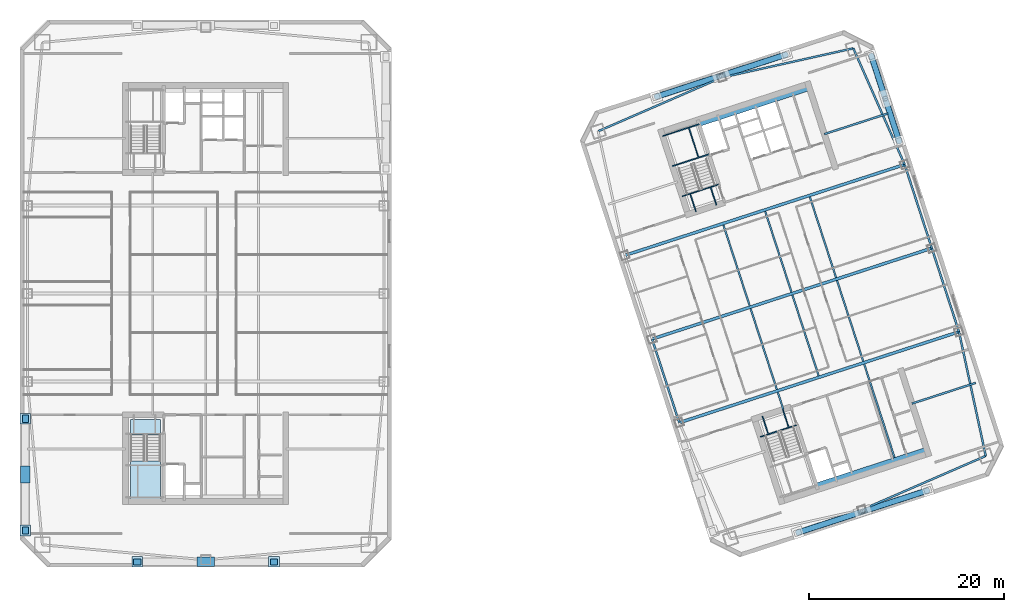
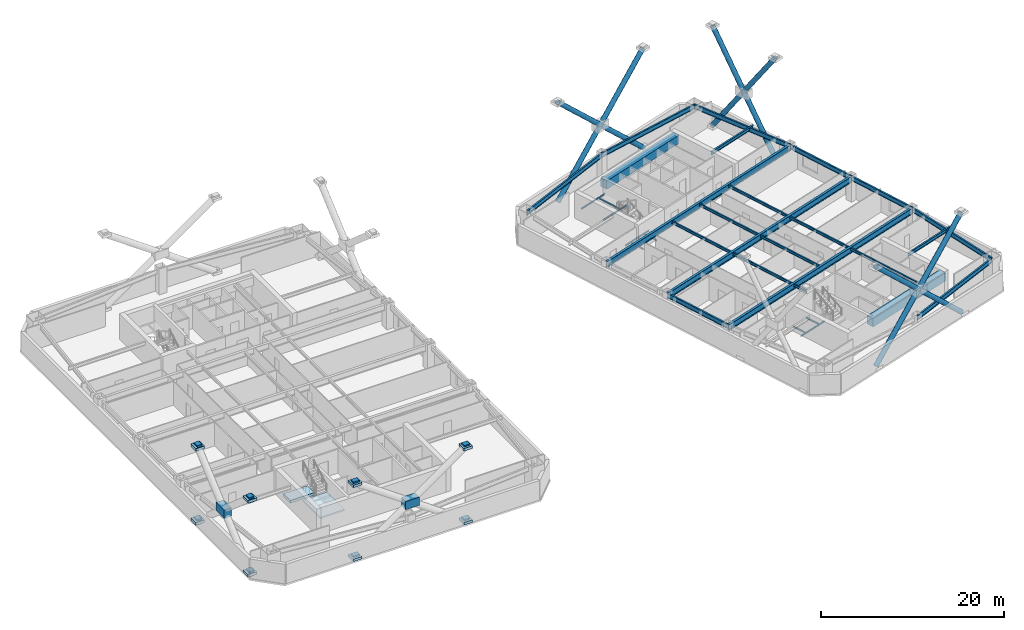
# One storey, part 4 of 14: 32 beams, 18 plates, 12 members, 2 slabs, 1 element without a shape of its own.
"""IFC4 building model written with IfcOpenShell, lengths in metres."""

from ifc_helpers import new_model, si_unit, direction, frame, origin, origin_2d, place, context, subcontext, project, spatial, polyline, rectangle, hollow_circle, i_section, outline, extrude, material, layer, layer_set, material_profile, profile_set, type_object, element, aggregate, save


model = new_model("IFC4")

# Units and contexts
model_context = context("Model", 3, precision=1e-05, world=origin(), true_north=direction((0.0, 1.0)))
body_context = subcontext(model_context, "Body", "Model", "MODEL_VIEW")
ifc_project = project(units=[si_unit("LENGTHUNIT", "METRE"), si_unit("AREAUNIT", "SQUARE_METRE"), si_unit("VOLUMEUNIT", "CUBIC_METRE"), si_unit("PLANEANGLEUNIT", "RADIAN"), si_unit("MASSUNIT", "GRAM", prefix="KILO")], contexts=[model_context])

# Site, building, storey
site_placement = place(None, origin())
site = spatial("IfcSite", under=ifc_project, at=site_placement, CompositionType="ELEMENT")
building_placement = place(site_placement, origin())
building = spatial("IfcBuilding", under=site, at=building_placement, Name="Qiaolan Cultural Towers", CompositionType="ELEMENT")
storey_placement = place(building_placement, frame((0.0, 0.0, 149.5)))
storey = spatial("IfcBuildingStorey", under=building, at=storey_placement, Name="L39", CompositionType="ELEMENT", Elevation=149.5)

# Beams
ifc_material_1 = material(Name="Steel Q355B", Category="steel")
ifc_material_profile_1 = material_profile(ifc_material_1, i_section(OverallWidth=0.300048828125, OverallDepth=0.800048828125, WebThickness=0.013916015625, FlangeThickness=0.02587890625, at=origin_2d()), Name="HN800x300x14x26")
ifc_profile_set_1 = profile_set([ifc_material_profile_1], Name="Steel Q355B")
beam_type_1 = type_object("IfcBeamType", Name="BM-HN800x300x14x26", PredefinedType="BEAM", material=ifc_profile_set_1)
beam_1_placement = place(storey_placement, frame((78.4677734375, 20.789794921875, 2.7900390625), z_axis=(0.951055226628, 0.309020963535, 0.0), x_axis=(-0.309020963535, 0.951055226628, 0.0)))
element("IfcBeam", 1, at=beam_1_placement, inside=storey, type_object=beam_type_1, Name="L39 T2 Primary Transverse Girder V1", PredefinedType="BEAM", context=body_context, shape_type="SweptSolid", body=[
    extrude(i_section(OverallWidth=0.300048828125, OverallDepth=0.800048828125, WebThickness=0.013916015625, FlangeThickness=0.02587890625, at=origin_2d()), origin(), (0.0, 0.0, 1.0), 30.099853515625),
])
beam_2_placement = place(storey_placement, frame((75.6865234375, 29.349365234375, 2.7900390625), z_axis=(0.951058384903, 0.309011243331, 0.0), x_axis=(-0.309011243331, 0.951058384903, 0.0)))
element("IfcBeam", 2, at=beam_2_placement, inside=storey, type_object=beam_type_1, Name="L39 T2 Primary Transverse Girder V2", PredefinedType="BEAM", context=body_context, shape_type="SweptSolid", body=[
    extrude(i_section(OverallWidth=0.300048828125, OverallDepth=0.800048828125, WebThickness=0.013916015625, FlangeThickness=0.02587890625, at=origin_2d()), origin(), (0.0, 0.0, 1.0), 30.10009765625),
])
beam_3_placement = place(storey_placement, frame((72.905517578125, 37.90869140625, 2.7900390625), z_axis=(0.951055226628, 0.309020963535, 0.0), x_axis=(-0.309020963535, 0.951055226628, 0.0)))
element("IfcBeam", 3, at=beam_3_placement, inside=storey, type_object=beam_type_1, Name="L39 T2 Primary Transverse Girder V3", PredefinedType="BEAM", context=body_context, shape_type="SweptSolid", body=[
    extrude(i_section(OverallWidth=0.300048828125, OverallDepth=0.800048828125, WebThickness=0.013916015625, FlangeThickness=0.02587890625, at=origin_2d()), origin(), (0.0, 0.0, 1.0), 30.099853515625),
])
ifc_material_2 = material(Name="Steel Q355B", Category="steel")
ifc_material_profile_2 = material_profile(ifc_material_2, i_section(OverallWidth=0.175048828125, OverallDepth=0.35009765625, WebThickness=0.007080078125, FlangeThickness=0.010986328125, at=origin_2d()), Name="HN350x175x7x11")
ifc_profile_set_2 = profile_set([ifc_material_profile_2], Name="Steel Q355B")
beam_type_2 = type_object("IfcBeamType", Name="BM-JST-HN350x175x7x11", PredefinedType="JOIST", material=ifc_profile_set_2)
beam_4_placement = place(storey_placement, frame((89.119384765625, 22.147705078125, 3.014892578125), z_axis=(-0.308933885266, 0.951083516067, 0.0), x_axis=(-0.951083516067, -0.308933885266, 0.0)))
element("IfcBeam", 4, at=beam_4_placement, inside=storey, type_object=beam_type_2, Name="L39 T2 Secondary Floor Joist U1-1", PredefinedType="JOIST", context=body_context, shape_type="SweptSolid", body=[
    extrude(i_section(OverallWidth=0.175048828125, OverallDepth=0.35009765625, WebThickness=0.007080078125, FlangeThickness=0.010986328125, at=origin_2d()), origin(), (0.0, 0.0, 1.0), 1.85009765625),
])
for number, where, z_axis, x_axis, name in (
    (5, (88.455078125, 24.192626953125, 3.014892578125), (-0.309020714809, 0.951055307445, 0.0), (-0.951055307445, -0.309020714809, 0.0), "L39 T2 Secondary Floor Joist U1-2"),
    (6, (85.673828125, 32.752197265625, 3.014892578125), (-0.309020714809, 0.951055307445, 0.0), (-0.951055307445, -0.309020714809, 0.0), "L39 T2 Secondary Floor Joist U1-3"),
    (7, (92.73486328125, 25.583251953125, 3.014892578125), (-0.309020714809, 0.951055307445, 0.0), (-0.951055307445, -0.309020714809, 0.0), "L39 T2 Secondary Floor Joist U2-2"),
    (8, (89.95361328125, 34.142578125, 3.014892578125), (-0.309020714809, 0.951055307445, 0.0), (-0.951055307445, -0.309020714809, 0.0), "L39 T2 Secondary Floor Joist U2-3"),
):
    element("IfcBeam", number, at=place(storey_placement, frame(where, z_axis=z_axis, x_axis=x_axis)), inside=storey, type_object=beam_type_2, Name=name, PredefinedType="JOIST", context=body_context, shape_type="SweptSolid", body=[
        extrude(i_section(OverallWidth=0.175048828125, OverallDepth=0.35009765625, WebThickness=0.007080078125, FlangeThickness=0.010986328125, at=origin_2d()), origin(), (0.0, 0.0, 1.0), 8.699951171875),
    ])
beam_5_placement = place(storey_placement, frame((100.498291015625, 17.222900390625, 3.014892578125), z_axis=(-0.309025649293, 0.951053704098, 0.0), x_axis=(-0.951053704098, -0.309025649293, 0.0)))
element("IfcBeam", 9, at=beam_5_placement, inside=storey, type_object=beam_type_2, Name="L39 T2 Secondary Floor Joist U3-1", PredefinedType="JOIST", context=body_context, shape_type="SweptSolid", body=[
    extrude(i_section(OverallWidth=0.175048828125, OverallDepth=0.35009765625, WebThickness=0.007080078125, FlangeThickness=0.010986328125, at=origin_2d()), origin(), (0.0, 0.0, 1.0), 10.050048828125),
])
for number, where, z_axis, x_axis, name in (
    (10, (97.2998046875, 27.06640625, 3.014892578125), (-0.309020714809, 0.951055307445, 0.0), (-0.951055307445, -0.309020714809, 0.0), "L39 T2 Secondary Floor Joist U3-2"),
    (11, (94.518798828125, 35.6259765625, 3.014892578125), (-0.309020714809, 0.951055307445, 0.0), (-0.951055307445, -0.309020714809, 0.0), "L39 T2 Secondary Floor Joist U3-3"),
):
    element("IfcBeam", number, at=place(storey_placement, frame(where, z_axis=z_axis, x_axis=x_axis)), inside=storey, type_object=beam_type_2, Name=name, PredefinedType="JOIST", context=body_context, shape_type="SweptSolid", body=[
        extrude(i_section(OverallWidth=0.175048828125, OverallDepth=0.35009765625, WebThickness=0.007080078125, FlangeThickness=0.010986328125, at=origin_2d()), origin(), (0.0, 0.0, 1.0), 8.699951171875),
    ])
ifc_material_3 = material(Name="Steel Q355B", Category="steel")
ifc_material_profile_3 = material_profile(ifc_material_3, i_section(OverallWidth=0.199951171875, OverallDepth=0.449951171875, WebThickness=0.009033203125, FlangeThickness=0.013916015625, at=origin_2d()), Name="HN450x200x9x14")
ifc_profile_set_3 = profile_set([ifc_material_profile_3], Name="Steel Q355B")
beam_type_3 = type_object("IfcBeamType", Name="BM-LNT-HN450x200x9x14", PredefinedType="LINTEL", material=ifc_profile_set_3)
for number, where, z_axis, x_axis, name in (
    (12, (102.279296875, 22.74365234375, 2.965087890625), (0.951061565824, 0.30900145309, 0.0), (-0.30900145309, 0.951061565824, 0.0), "L39 T2 Core Flank Tie Lintel ES"),
    (13, (93.31787109375, 50.32421875, 2.965087890625), (0.951061565824, 0.30900145309, 0.0), (-0.30900145309, 0.951061565824, 0.0), "L39 T2 Core Flank Tie Lintel EN"),
):
    element("IfcBeam", number, at=place(storey_placement, frame(where, z_axis=z_axis, x_axis=x_axis)), inside=storey, type_object=beam_type_3, Name=name, PredefinedType="LINTEL", context=body_context, shape_type="SweptSolid", body=[
        extrude(i_section(OverallWidth=0.199951171875, OverallDepth=0.449951171875, WebThickness=0.009033203125, FlangeThickness=0.013916015625, at=origin_2d()), origin(), (0.0, 0.0, 1.0), 6.85009765625),
    ])
ifc_material_4 = material(Name="Concrete C50", Category="concrete")
ifc_material_profile_4 = material_profile(ifc_material_4, rectangle(XDim=0.89990234375, YDim=1.10009765625, at=origin_2d()), Name="RC900x1100")
ifc_profile_set_4 = profile_set([ifc_material_profile_4], Name="Concrete C50")
beam_type_4 = type_object("IfcBeamType", Name="BM-RC900x1100", PredefinedType="BEAM", material=ifc_profile_set_4)
for number, where, z_axis, x_axis, name in (
    (14, (92.572265625, 14.174560546875, 2.639892578125), (0.951056266386, 0.309017763514, 0.0), (-0.309017763514, 0.951056266386, 0.0), "L39 T2 Core Header Girder S"),
    (15, (80.427978515625, 51.551025390625, 2.639892578125), (0.951056266386, 0.309017763514, 0.0), (-0.309017763514, 0.951056266386, 0.0), "L39 T2 Core Header Girder N"),
):
    element("IfcBeam", number, at=place(storey_placement, frame(where, z_axis=z_axis, x_axis=x_axis)), inside=storey, type_object=beam_type_4, Name=name, PredefinedType="BEAM", context=body_context, shape_type="SweptSolid", body=[
        extrude(rectangle(XDim=0.89990234375, YDim=1.10009765625, at=origin_2d()), origin(), (0.0, 0.0, 1.0), 11.880126953125),
    ])
ifc_material_5 = material(Name="Steel Q355B", Category="steel")
ifc_material_profile_5 = material_profile(ifc_material_5, i_section(OverallWidth=0.199951171875, OverallDepth=0.60009765625, WebThickness=0.010986328125, FlangeThickness=0.01708984375, at=origin_2d()), Name="HN600x200x11x17")
ifc_profile_set_5 = profile_set([ifc_material_profile_5], Name="Steel Q355B")
beam_type_5 = type_object("IfcBeamType", Name="BM-SPD-HN600x200x11x17", PredefinedType="SPANDREL", material=ifc_profile_set_5)
beam_6_placement = place(storey_placement, frame((97.1845703125, 11.887939453125, 2.889892578125), z_axis=(0.917117043091, 0.398618024268, 0.0), x_axis=(-0.398618024268, 0.917117043091, 0.0)))
element("IfcBeam", 16, at=beam_6_placement, inside=storey, type_object=beam_type_5, Name="L39 T2 Perimeter Spandrel Beam 2", PredefinedType="SPANDREL", context=body_context, shape_type="SweptSolid", body=[
    extrude(i_section(OverallWidth=0.199951171875, OverallDepth=0.60009765625, WebThickness=0.010986328125, FlangeThickness=0.01708984375, at=origin_2d()), origin(), (0.0, 0.0, 1.0), 13.79345703125),
])
beam_7_placement = place(storey_placement, frame((109.834716796875, 17.38623046875, 2.889892578125), z_axis=(-0.210832241173, 0.977522258612, 0.0), x_axis=(-0.977522258612, -0.210832241173, 0.0)))
element("IfcBeam", 17, at=beam_7_placement, inside=storey, type_object=beam_type_5, Name="L39 T2 Perimeter Spandrel Beam 3", PredefinedType="SPANDREL", context=body_context, shape_type="SweptSolid", body=[
    extrude(i_section(OverallWidth=0.199951171875, OverallDepth=0.60009765625, WebThickness=0.010986328125, FlangeThickness=0.01708984375, at=origin_2d()), origin(), (0.0, 0.0, 1.0), 12.997314453125),
])
beam_8_placement = place(storey_placement, frame((107.094482421875, 30.09130859375, 2.889892578125), z_axis=(-0.309008170129, 0.951059383421, 0.0), x_axis=(-0.951059383421, -0.309008170129, 0.0)))
element("IfcBeam", 18, at=beam_8_placement, inside=storey, type_object=beam_type_5, Name="L39 T2 Perimeter Spandrel Beam 4", PredefinedType="SPANDREL", context=body_context, shape_type="SweptSolid", body=[
    extrude(i_section(OverallWidth=0.199951171875, OverallDepth=0.60009765625, WebThickness=0.010986328125, FlangeThickness=0.01708984375, at=origin_2d()), origin(), (0.0, 0.0, 1.0), 8.999755859375),
])
beam_9_placement = place(storey_placement, frame((104.3134765625, 38.650634765625, 2.889892578125), z_axis=(-0.309024734286, 0.951054001411, 0.0), x_axis=(-0.951054001411, -0.309024734286, 0.0)))
element("IfcBeam", 19, at=beam_9_placement, inside=storey, type_object=beam_type_5, Name="L39 T2 Perimeter Spandrel Beam 5", PredefinedType="SPANDREL", context=body_context, shape_type="SweptSolid", body=[
    extrude(i_section(OverallWidth=0.199951171875, OverallDepth=0.60009765625, WebThickness=0.010986328125, FlangeThickness=0.01708984375, at=origin_2d()), origin(), (0.0, 0.0, 1.0), 9.0),
])
beam_10_placement = place(storey_placement, frame((101.5322265625, 47.210205078125, 2.889892578125), z_axis=(-0.404011070002, 0.914754095545, 0.0), x_axis=(-0.914754095545, -0.404011070002, 0.0)))
element("IfcBeam", 20, at=beam_10_placement, inside=storey, type_object=beam_type_5, Name="L39 T2 Perimeter Spandrel Beam 6", PredefinedType="SPANDREL", context=body_context, shape_type="SweptSolid", body=[
    extrude(i_section(OverallWidth=0.199951171875, OverallDepth=0.60009765625, WebThickness=0.010986328125, FlangeThickness=0.01708984375, at=origin_2d()), origin(), (0.0, 0.0, 1.0), 12.9970703125),
])
beam_11_placement = place(storey_placement, frame((96.28125, 59.099365234375, 2.889892578125), z_axis=(-0.976265293399, -0.216578108094, 0.0), x_axis=(0.216578108094, -0.976265293399, 0.0)))
element("IfcBeam", 21, at=beam_11_placement, inside=storey, type_object=beam_type_5, Name="L39 T2 Perimeter Spandrel Beam 7", PredefinedType="SPANDREL", context=body_context, shape_type="SweptSolid", body=[
    extrude(i_section(OverallWidth=0.199951171875, OverallDepth=0.60009765625, WebThickness=0.010986328125, FlangeThickness=0.01708984375, at=origin_2d()), origin(), (0.0, 0.0, 1.0), 13.793212890625),
])
beam_12_placement = place(storey_placement, frame((82.8154296875, 56.112060546875, 2.889892578125), z_axis=(-0.917117043091, -0.398618024268, 0.0), x_axis=(0.398618024268, -0.917117043091, 0.0)))
element("IfcBeam", 22, at=beam_12_placement, inside=storey, type_object=beam_type_5, Name="L39 T2 Perimeter Spandrel Beam 8", PredefinedType="SPANDREL", context=body_context, shape_type="SweptSolid", body=[
    extrude(i_section(OverallWidth=0.199951171875, OverallDepth=0.60009765625, WebThickness=0.010986328125, FlangeThickness=0.01708984375, at=origin_2d()), origin(), (0.0, 0.0, 1.0), 13.79345703125),
])
beam_13_placement = place(storey_placement, frame((75.6865234375, 29.349365234375, 2.889892578125), z_axis=(0.309024734286, -0.951054001411, 0.0), x_axis=(0.951054001411, 0.309024734286, 0.0)))
element("IfcBeam", 23, at=beam_13_placement, inside=storey, type_object=beam_type_5, Name="L39 T2 Perimeter Spandrel Beam 11", PredefinedType="SPANDREL", context=body_context, shape_type="SweptSolid", body=[
    extrude(i_section(OverallWidth=0.199951171875, OverallDepth=0.60009765625, WebThickness=0.010986328125, FlangeThickness=0.01708984375, at=origin_2d()), origin(), (0.0, 0.0, 1.0), 9.0),
])
ifc_material_6 = material(Name="Steel Q355B", Category="steel")
ifc_material_profile_6 = material_profile(ifc_material_6, i_section(OverallWidth=0.10009765625, OverallDepth=0.199951171875, WebThickness=0.005615234375, FlangeThickness=0.008056640625, at=origin_2d()), Name="HN200x100x5.5x8")
ifc_profile_set_6 = profile_set([ifc_material_profile_6], Name="Steel Q355B")
beam_type_6 = type_object("IfcBeamType", Name="BM-STTRIM-200", PredefinedType="BEAM", material=ifc_profile_set_6)
beam_14_placement = place(storey_placement, frame((86.770751953125, 19.3447265625, -0.4599609375), z_axis=(0.951047798727, 0.309043823005, 0.0), x_axis=(-0.309043823005, 0.951047798727, 0.0)))
element("IfcBeam", 24, at=beam_14_placement, inside=storey, type_object=beam_type_6, Name="L39 ST-E1 Floor Landing Header Beam", PredefinedType="BEAM", context=body_context, shape_type="SweptSolid", body=[
    extrude(i_section(OverallWidth=0.10009765625, OverallDepth=0.199951171875, WebThickness=0.005615234375, FlangeThickness=0.008056640625, at=origin_2d()), origin(), (0.0, 0.0, 1.0), 3.919921875),
])
for number, where, z_axis, x_axis, name in (
    (25, (86.9794921875, 21.452392578125, -0.4599609375), (0.309083226701, -0.951034993558, 0.0), (0.951034993558, 0.309083226701, 0.0), "L39 ST-E1 Floor Landing Stringer 1"),
    (26, (89.07177734375, 22.13232421875, -0.4599609375), (0.309083226701, -0.951034993558, 0.0), (0.951034993558, 0.309083226701, 0.0), "L39 ST-E1 Floor Landing Stringer 2"),
):
    element("IfcBeam", number, at=place(storey_placement, frame(where, z_axis=z_axis, x_axis=x_axis)), inside=storey, type_object=beam_type_6, Name=name, PredefinedType="BEAM", context=body_context, shape_type="SweptSolid", body=[
        extrude(i_section(OverallWidth=0.10009765625, OverallDepth=0.199951171875, WebThickness=0.005615234375, FlangeThickness=0.008056640625, at=origin_2d()), origin(), (0.0, 0.0, 1.0), 1.93994140625),
    ])
beam_15_placement = place(storey_placement, frame((78.773193359375, 43.958251953125, -0.4599609375), z_axis=(0.951072048947, 0.3089691857, 0.0), x_axis=(-0.3089691857, 0.951072048947, 0.0)))
element("IfcBeam", 27, at=beam_15_placement, inside=storey, type_object=beam_type_6, Name="L39 ST-E2 Floor Landing Header Beam", PredefinedType="BEAM", context=body_context, shape_type="SweptSolid", body=[
    extrude(i_section(OverallWidth=0.10009765625, OverallDepth=0.199951171875, WebThickness=0.005615234375, FlangeThickness=0.008056640625, at=origin_2d()), origin(), (0.0, 0.0, 1.0), 3.920166015625),
])
for number, where, z_axis, x_axis, name in (
    (28, (80.18115234375, 42.375732421875, -0.4599609375), (-0.308969394428, 0.951071981138, 0.0), (-0.951071981138, -0.308969394428, 0.0), "L39 ST-E2 Floor Landing Stringer 1"),
    (29, (82.2734375, 43.0556640625, -0.4599609375), (-0.308969394428, 0.951071981138, 0.0), (-0.951071981138, -0.308969394428, 0.0), "L39 ST-E2 Floor Landing Stringer 2"),
):
    element("IfcBeam", number, at=place(storey_placement, frame(where, z_axis=z_axis, x_axis=x_axis)), inside=storey, type_object=beam_type_6, Name=name, PredefinedType="BEAM", context=body_context, shape_type="SweptSolid", body=[
        extrude(i_section(OverallWidth=0.10009765625, OverallDepth=0.199951171875, WebThickness=0.005615234375, FlangeThickness=0.008056640625, at=origin_2d()), origin(), (0.0, 0.0, 1.0), 1.93994140625),
    ])
for number, where, z_axis, x_axis, name in (
    (30, (77.769287109375, 47.0478515625, 1.425048828125), (0.951053746643, 0.309025518358, 0.0), (-0.309025518358, 0.951053746643, 0.0), "L39 ST-E2 Stair Landing Support Beam 1-1"),
    (31, (76.770751953125, 50.12109375, 1.425048828125), (0.951072048947, 0.3089691857, 0.0), (-0.3089691857, 0.951072048947, 0.0), "L39 ST-E2 Stair Landing Support Beam 1-2"),
):
    element("IfcBeam", number, at=place(storey_placement, frame(where, z_axis=z_axis, x_axis=x_axis)), inside=storey, type_object=beam_type_6, Name=name, PredefinedType="BEAM", context=body_context, shape_type="SweptSolid", body=[
        extrude(i_section(OverallWidth=0.10009765625, OverallDepth=0.199951171875, WebThickness=0.005615234375, FlangeThickness=0.008056640625, at=origin_2d()), origin(), (0.0, 0.0, 1.0), 3.920166015625),
    ])
beam_16_placement = place(storey_placement, frame((80.44189453125, 47.916259765625, 1.425048828125), z_axis=(-0.309033108495, 0.951051280349, 0.0), x_axis=(-0.951051280349, -0.309033108495, 0.0)))
element("IfcBeam", 32, at=beam_16_placement, inside=storey, type_object=beam_type_6, Name="L39 ST-E2 Stair Landing Trimmer 1", PredefinedType="BEAM", context=body_context, shape_type="SweptSolid", body=[
    extrude(i_section(OverallWidth=0.10009765625, OverallDepth=0.199951171875, WebThickness=0.005615234375, FlangeThickness=0.008056640625, at=origin_2d()), origin(), (0.0, 0.0, 1.0), 3.231201171875),
])

# Members
ifc_material_7 = material(Name="Steel Q355B", Category="steel")
ifc_material_profile_7 = material_profile(ifc_material_7, hollow_circle(Radius=0.300048828125, WallThickness=0.030029296875, at=origin_2d()), Name="CHS600x30")
ifc_profile_set_7 = profile_set([ifc_material_profile_7], Name="Steel Q355B")
member_type = type_object("IfcMemberType", Name="MBR-BRC-CHS600x30", PredefinedType="BRACE", material=ifc_profile_set_7)
for number, where, z_axis, x_axis, name in (
    (33, (100.980712890625, 49.554443359375, 0.14990234375), (-0.175992557222, 0.541656628538, 0.821970021694), (-0.951057728941, -0.309013262209, 0.0), "T2 EAST Perimeter Frame Diagonal E-Z3-M2-D1A"),
    (34, (99.551513671875, 53.953125, 6.824951171875), (-0.175992557222, 0.541656628538, 0.821970021694), (-0.951057728941, -0.309013262209, 0.0), "T2 EAST Perimeter Frame Diagonal E-Z3-M2-D1B"),
    (35, (98.122314453125, 58.351806640625, 0.14990234375), (0.175992557222, -0.541656628538, 0.821970021694), (0.951057728941, 0.309013262209, 0.0), "T2 EAST Perimeter Frame Diagonal E-Z3-M2-D2A"),
    (36, (99.551513671875, 53.953125, 6.824951171875), (0.175992557222, -0.541656628538, 0.821970021694), (0.951057728941, 0.309013262209, 0.0), "T2 EAST Perimeter Frame Diagonal E-Z3-M2-D2B"),
):
    element("IfcMember", number, at=place(storey_placement, frame(where, z_axis=z_axis, x_axis=x_axis)), inside=storey, type_object=member_type, Name=name, PredefinedType="BRACE", context=body_context, shape_type="SweptSolid", body=[
        extrude(hollow_circle(Radius=0.300048828125, WallThickness=0.030029296875, at=origin_2d()), origin(), (0.0, 0.0, 1.0), 8.120849609375),
    ])
member_1_placement = place(storey_placement, frame((90.589111328125, 9.53466796875, 0.14990234375), z_axis=(0.688275686288, 0.223636591628, 0.690118290259), x_axis=(-0.309019824916, 0.951055596592, 0.0)))
element("IfcMember", 37, at=member_1_placement, inside=storey, type_object=member_type, Name="T2 SOUTH Perimeter Frame Diagonal E-Z3-M2-D1A", PredefinedType="BRACE", context=body_context, shape_type="SweptSolid", body=[
    extrude(hollow_circle(Radius=0.300048828125, WallThickness=0.030029296875, at=origin_2d()), origin(), (0.0, 0.0, 1.0), 9.67236328125),
])
for number, where, z_axis, x_axis, name in (
    (38, (97.246337890625, 11.69775390625, 6.824951171875), (0.688288969768, 0.223632706448, 0.690106301016), (-0.309009574742, 0.951058927048, 0.0), "T2 SOUTH Perimeter Frame Diagonal E-Z3-M2-D1B"),
    (39, (103.90380859375, 13.86083984375, 0.14990234375), (-0.688288969768, -0.223632706448, 0.690106301016), (0.309009574742, -0.951058927048, 0.0), "T2 SOUTH Perimeter Frame Diagonal E-Z3-M2-D2A"),
):
    element("IfcMember", number, at=place(storey_placement, frame(where, z_axis=z_axis, x_axis=x_axis)), inside=storey, type_object=member_type, Name=name, PredefinedType="BRACE", context=body_context, shape_type="SweptSolid", body=[
        extrude(hollow_circle(Radius=0.300048828125, WallThickness=0.030029296875, at=origin_2d()), origin(), (0.0, 0.0, 1.0), 9.672607421875),
    ])
member_2_placement = place(storey_placement, frame((97.246337890625, 11.69775390625, 6.824951171875), z_axis=(-0.688275686288, -0.223636591628, 0.690118290259), x_axis=(0.309019824916, -0.951055596592, 0.0)))
element("IfcMember", 40, at=member_2_placement, inside=storey, type_object=member_type, Name="T2 SOUTH Perimeter Frame Diagonal E-Z3-M2-D2B", PredefinedType="BRACE", context=body_context, shape_type="SweptSolid", body=[
    extrude(hollow_circle(Radius=0.300048828125, WallThickness=0.030029296875, at=origin_2d()), origin(), (0.0, 0.0, 1.0), 9.67236328125),
])
member_3_placement = place(storey_placement, frame((76.09619140625, 54.13916015625, 0.14990234375), z_axis=(0.688288969768, 0.223632706448, 0.690106301016), x_axis=(-0.309009574742, 0.951058927048, 0.0)))
element("IfcMember", 41, at=member_3_placement, inside=storey, type_object=member_type, Name="T2 NORTH Perimeter Frame Diagonal E-Z3-M2-D1A", PredefinedType="BRACE", context=body_context, shape_type="SweptSolid", body=[
    extrude(hollow_circle(Radius=0.300048828125, WallThickness=0.030029296875, at=origin_2d()), origin(), (0.0, 0.0, 1.0), 9.672607421875),
])
for number, where, z_axis, x_axis, name in (
    (42, (82.753662109375, 56.30224609375, 6.824951171875), (0.688275686288, 0.223636591628, 0.690118290259), (-0.309019824916, 0.951055596592, 0.0), "T2 NORTH Perimeter Frame Diagonal E-Z3-M2-D1B"),
    (43, (89.410888671875, 58.46533203125, 0.14990234375), (-0.688275686288, -0.223636591628, 0.690118290259), (0.309019824916, -0.951055596592, 0.0), "T2 NORTH Perimeter Frame Diagonal E-Z3-M2-D2A"),
):
    element("IfcMember", number, at=place(storey_placement, frame(where, z_axis=z_axis, x_axis=x_axis)), inside=storey, type_object=member_type, Name=name, PredefinedType="BRACE", context=body_context, shape_type="SweptSolid", body=[
        extrude(hollow_circle(Radius=0.300048828125, WallThickness=0.030029296875, at=origin_2d()), origin(), (0.0, 0.0, 1.0), 9.67236328125),
    ])
member_4_placement = place(storey_placement, frame((82.753662109375, 56.30224609375, 6.824951171875), z_axis=(-0.688288969768, -0.223632706448, 0.690106301016), x_axis=(0.309009574742, -0.951058927048, 0.0)))
element("IfcMember", 44, at=member_4_placement, inside=storey, type_object=member_type, Name="T2 NORTH Perimeter Frame Diagonal E-Z3-M2-D2B", PredefinedType="BRACE", context=body_context, shape_type="SweptSolid", body=[
    extrude(hollow_circle(Radius=0.300048828125, WallThickness=0.030029296875, at=origin_2d()), origin(), (0.0, 0.0, 1.0), 9.672607421875),
])

# Plates
ifc_material_8 = material(Name="Steel Q355B", Category="steel")
ifc_layer_1 = layer(ifc_material_8, 0.035888671875)
ifc_layer_set_1 = layer_set([ifc_layer_1], Name="Steel Q355B")
plate_type_1 = type_object("IfcPlateType", Name="PL-CONN-36", PredefinedType="USERDEFINED", material=ifc_layer_set_1)
for number, where, z_axis, x_axis, name in (
    (45, (11.550048828125, 9.75, -0.22021484375), (0.0, 0.0, 1.0), (0.0, 1.0, 0.0), "L39 Brace End Connection Gusset Plate GP-02-0292"),
    (46, (11.550048828125, 21.199951171875, 9.68017578125), (0.0, 0.0, 1.0), (0.0, 1.0, 0.0), "L39 Brace End Connection Gusset Plate GP-02-0293"),
    (47, (11.550048828125, 21.199951171875, -0.22021484375), (0.0, 0.0, 1.0), (0.0, 1.0, 0.0), "L39 Brace End Connection Gusset Plate GP-02-0294"),
    (48, (11.550048828125, 9.75, 9.68017578125), (0.0, 0.0, 1.0), (0.0, 1.0, 0.0), "L39 Brace End Connection Gusset Plate GP-02-0295"),
    (49, (23.0, 6.550048828125, -0.22021484375), (0.0, 0.0, 1.0), (1.0, 0.0, 0.0), "L39 Brace End Connection Gusset Plate GP-02-0300"),
    (50, (37.0, 6.550048828125, 9.68017578125), (0.0, 0.0, 1.0), (1.0, 0.0, 0.0), "L39 Brace End Connection Gusset Plate GP-02-0301"),
    (51, (37.0, 6.550048828125, -0.22021484375), (0.0, 0.0, 1.0), (1.0, 0.0, 0.0), "L39 Brace End Connection Gusset Plate GP-02-0302"),
    (52, (23.0, 6.550048828125, 9.68017578125), (0.0, 0.0, 1.0), (1.0, 0.0, 0.0), "L39 Brace End Connection Gusset Plate GP-02-0303"),
):
    element("IfcPlate", number, at=place(storey_placement, frame(where, z_axis=z_axis, x_axis=x_axis)), inside=storey, type_object=plate_type_1, Name=name, ObjectType="GUSSET_PLATE", PredefinedType="USERDEFINED", context=body_context, shape_type="SweptSolid", body=[
        extrude(rectangle(XDim=0.739990234375, YDim=0.6201171875, at=origin_2d()), origin(), (0.0, 0.0, 1.0), 0.739990234375),
    ])
ifc_material_9 = material(Name="Steel Q355B", Category="steel")
ifc_layer_2 = layer(ifc_material_9, 0.030029296875)
ifc_layer_set_2 = layer_set([ifc_layer_2], Name="Steel Q355B")
plate_type_2 = type_object("IfcPlateType", Name="PL-ENDCAP-30", PredefinedType="USERDEFINED", material=ifc_layer_set_2)
for number, where, z_axis, x_axis, name in (
    (53, (11.550048828125, 9.75, -0.025146484375), (0.0, 0.0, 1.0), (0.0, 1.0, 0.0), "Hollow Brace End Seal Cap Plate CP-01"),
    (54, (11.550048828125, 21.199951171875, -0.025146484375), (0.0, 0.0, 1.0), (0.0, 1.0, 0.0), "Hollow Brace End Seal Cap Plate CP-01"),
    (55, (11.550048828125, 9.75, 9.875), (0.0, 0.0, 1.0), (0.0, 1.0, 0.0), "Hollow Brace End Seal Cap Plate CP-01"),
    (56, (11.550048828125, 21.199951171875, 9.875), (0.0, 0.0, 1.0), (0.0, 1.0, 0.0), "Hollow Brace End Seal Cap Plate CP-01"),
    (57, (23.0, 6.550048828125, -0.025146484375), (0.0, 0.0, 1.0), (1.0, 0.0, 0.0), "Hollow Brace End Seal Cap Plate CP-01"),
    (58, (37.0, 6.550048828125, -0.025146484375), (0.0, 0.0, 1.0), (1.0, 0.0, 0.0), "Hollow Brace End Seal Cap Plate CP-01"),
    (59, (23.0, 6.550048828125, 9.875), (0.0, 0.0, 1.0), (1.0, 0.0, 0.0), "Hollow Brace End Seal Cap Plate CP-01"),
    (60, (37.0, 6.550048828125, 9.875), (0.0, 0.0, 1.0), (1.0, 0.0, 0.0), "Hollow Brace End Seal Cap Plate CP-01"),
):
    element("IfcPlate", number, at=place(storey_placement, frame(where, z_axis=z_axis, x_axis=x_axis)), inside=storey, type_object=plate_type_2, Name=name, ObjectType="BASE_PLATE", PredefinedType="USERDEFINED", context=body_context, shape_type="SweptSolid", body=[
        extrude(rectangle(XDim=1.10009765625, YDim=1.10009765625, at=origin_2d()), origin(), (0.0, 0.0, 1.0), 0.35009765625),
    ])
ifc_material_10 = material(Name="Steel Q390GJB", Category="steel")
ifc_layer_3 = layer(ifc_material_10, 0.0439453125)
ifc_layer_set_3 = layer_set([ifc_layer_3], Name="Steel Q390GJB")
plate_type_3 = type_object("IfcPlateType", Name="PL-NODE-ND10", PredefinedType="USERDEFINED", material=ifc_layer_set_3)
plate_1_placement = place(storey_placement, frame((11.550048828125, 15.47509765625, 4.550048828125), z_axis=(0.0, 0.0, 1.0), x_axis=(0.0, 1.0, 0.0)))
element("IfcPlate", 61, at=plate_1_placement, inside=storey, type_object=plate_type_3, Name="Perimeter Frame Gusset Node Assembly ND-10", ObjectType="GUSSET_PLATE", PredefinedType="USERDEFINED", context=body_context, shape_type="SweptSolid", body=[
    extrude(rectangle(XDim=1.760009765625, YDim=0.9599609375, at=origin_2d()), origin(), (0.0, 0.0, 1.0), 1.10009765625),
])
ifc_material_11 = material(Name="Steel Q390GJB", Category="steel")
ifc_layer_4 = layer(ifc_material_11, 0.0400390625)
ifc_layer_set_4 = layer_set([ifc_layer_4], Name="Steel Q390GJB")
plate_type_4 = type_object("IfcPlateType", Name="PL-NODE-ND12", PredefinedType="USERDEFINED", material=ifc_layer_set_4)
plate_2_placement = place(storey_placement, frame((30.0, 6.550048828125, 4.550048828125), z_axis=(0.0, 0.0, 1.0), x_axis=(1.0, 0.0, 0.0)))
element("IfcPlate", 62, at=plate_2_placement, inside=storey, type_object=plate_type_4, Name="Perimeter Frame Gusset Node Assembly ND-12", ObjectType="GUSSET_PLATE", PredefinedType="USERDEFINED", context=body_context, shape_type="SweptSolid", body=[
    extrude(rectangle(XDim=1.760009765625, YDim=0.9599609375, at=origin_2d()), origin(), (0.0, 0.0, 1.0), 1.10009765625),
])

# Stair, slab
ifc_material_12 = material(Name="Concrete C45", Category="concrete")
stair_type = type_object("IfcStairType", Name="STR-CORE-1500", PredefinedType="HALF_TURN_STAIR", material=ifc_material_12)
stair_placement = place(storey_placement, origin())
stair = element("IfcStair", 63, at=stair_placement, inside=storey, type_object=stair_type, Name="L39 Smokeproof Exit Stair ST-W1", PredefinedType="HALF_TURN_STAIR")
ifc_material_13 = material(Name="Concrete C45", Category="concrete")
ifc_layer_5 = layer(ifc_material_13, 0.199951171875)
ifc_layer_set_5 = layer_set([ifc_layer_5], Name="Concrete C45")
slab_type_1 = type_object("IfcSlabType", Name="SL-STAIR-LAND", PredefinedType="LANDING", material=ifc_layer_set_5)
slab_1_placement = place(storey_placement, frame((0.0, 0.0, 1.52490234375)))
slab_1 = element("IfcSlab", 64, at=slab_1_placement, type_object=slab_type_1, Name="ST-W1 landing 1", PredefinedType="LANDING", context=body_context, shape_type="SweptSolid", body=[
    extrude(outline(polyline([(22.300048828125, 16.851318359375), (22.300048828125, 13.0), (25.3798828125, 13.0), (25.3798828125, 16.851318359375), (22.300048828125, 16.851318359375)])), origin(), (0.0, 0.0, 1.0), 0.2001953125),
])
aggregate(stair, [slab_1])

# Slab
ifc_material_14 = material(Name="Concrete C40", Category="concrete")
ifc_layer_6 = layer(ifc_material_14, 0.360107421875)
ifc_layer_set_6 = layer_set([ifc_layer_6], Name="Concrete C40")
slab_type_2 = type_object("IfcSlabType", Name="SL-STFLR-360", PredefinedType="LANDING", material=ifc_layer_set_6)
slab_2_placement = place(storey_placement, frame((0.0, 0.0, -0.360107421875)))
element("IfcSlab", 65, at=slab_2_placement, inside=storey, type_object=slab_type_2, Name="L39 ST-W1 Stair Floor Landing Slab", PredefinedType="LANDING", context=body_context, shape_type="SweptSolid", body=[
    extrude(outline(polyline([(22.302001953125, 21.097900390625), (22.302001953125, 19.548583984375), (25.3779296875, 19.548583984375), (25.3779296875, 21.097900390625), (22.302001953125, 21.097900390625)])), origin(), (0.0, 0.0, 1.0), 0.360107421875),
])

save(model, "model.ifc")
